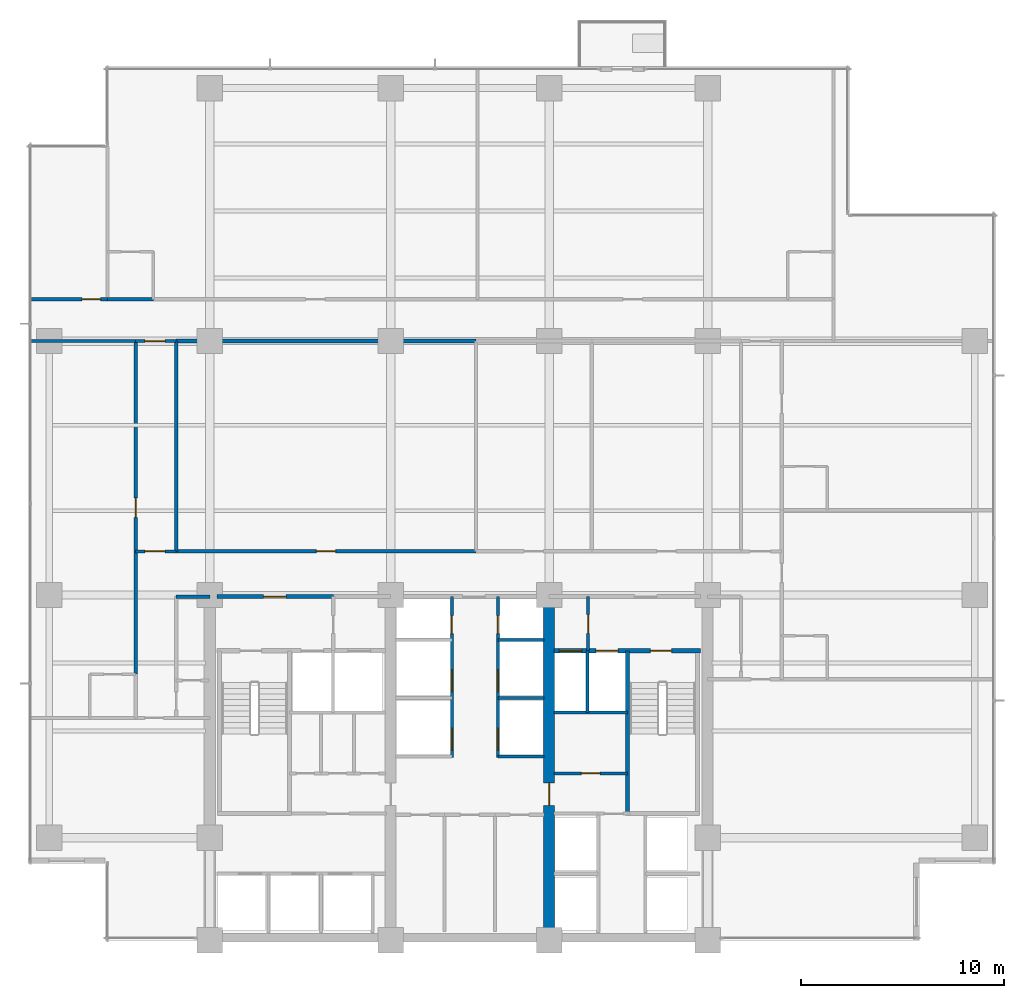
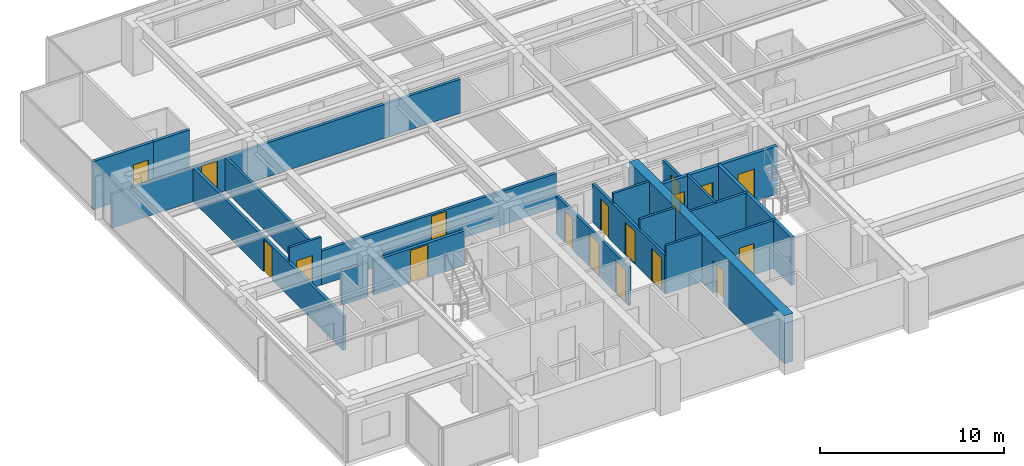
# One storey, part 9 of 16: 23 walls, 18 doors, 18 openings.
"""IFC4 building model written with IfcOpenShell, lengths in metres."""

from ifc_helpers import new_model, si_unit, direction, frame, frame_2d, origin, place, context, subcontext, project, spatial, rectangle, extrude, material, layer, layer_set, type_object, element, fill, save


model = new_model("IFC4")

# Units and contexts
model_context = context("Model", 3, precision=1e-05, world=origin(), true_north=direction((0.0, 1.0)))
body_context = subcontext(model_context, "Body", "Model", "MODEL_VIEW")
ifc_project = project(units=[si_unit("LENGTHUNIT", "METRE"), si_unit("AREAUNIT", "SQUARE_METRE"), si_unit("VOLUMEUNIT", "CUBIC_METRE"), si_unit("PLANEANGLEUNIT", "RADIAN"), si_unit("MASSUNIT", "GRAM", prefix="KILO")], contexts=[model_context])

# Site, building, storey
site_placement = place(None, origin())
site = spatial("IfcSite", under=ifc_project, at=site_placement, CompositionType="ELEMENT")
building_placement = place(site_placement, origin())
building = spatial("IfcBuilding", under=site, at=building_placement, Name="Qalmaran Belvedere Hotel", CompositionType="ELEMENT")
storey_placement = place(building_placement, frame((0.0, 0.0, 126.699951171875)))
storey = spatial("IfcBuildingStorey", under=building, at=storey_placement, Name="L32", CompositionType="ELEMENT", Elevation=126.699951171875)

# Wall, opening, door
ifc_material_1 = material(Name="Concrete C60/75", Category="concrete")
ifc_layer_1 = layer(ifc_material_1, 0.550048828125, Name="Concrete C60/75")
ifc_layer_set_1 = layer_set([ifc_layer_1], Name="Concrete C60/75")
wall_type_1 = type_object("IfcWallType", Name="WL-CORE-550-C60", PredefinedType="SHEAR", material=ifc_layer_set_1)
wall_1_placement = place(storey_placement, frame((37.0, 3.5, 0.0), z_axis=(0.0, 0.0, 1.0), x_axis=(0.0, 1.0, 0.0)))
wall_1 = element("IfcWall", 1, at=wall_1_placement, inside=storey, type_object=wall_type_1, Name="L32 Core East Spine Shear Wall", PredefinedType="SHEAR", context=body_context, shape_type="SweptSolid", body=[
    extrude(rectangle(XDim=16.89990234375, YDim=0.550048828125, at=frame_2d((8.449951171875, 0.0))), origin(), (0.0, 0.0, 1.0), 3.179931640625),
])
opening_1_placement = place(wall_1_placement, frame((6.64990234375, 0.0, 0.0)))
opening_1 = element("IfcOpeningElement", 2, at=opening_1_placement, cuts=wall_1, Name="Opening FD90", PredefinedType="OPENING", context=body_context, shape_type="SweptSolid", body=[
    extrude(rectangle(XDim=1.10009765625, YDim=2.14990234375, at=frame_2d((0.550048828125, 1.074951171875))), frame((0.0, 0.28515625, 0.0), z_axis=(0.0, -1.0, 0.0), x_axis=(1.0, 0.0, 0.0)), (0.0, 0.0, 1.0), 0.570068359375),
])
ifc_material_2 = material(Name="Steel S355JR", Category="steel")
door_type_1 = type_object("IfcDoorType", Name="DR-FD90-1100X2150", OperationType="NOTDEFINED", PredefinedType="DOOR", material=ifc_material_2)
door_1_placement = place(opening_1_placement, origin())
door_1 = element("IfcDoor", 3, at=door_1_placement, inside=storey, type_object=door_type_1, Name="L32 Core East Cross-Lobby Door", OperationType="SINGLE_SWING_RIGHT", OverallHeight=2.14990234375, OverallWidth=1.10009765625, PredefinedType="DOOR", context=body_context, shape_type="SweptSolid", body=[
    extrude(rectangle(XDim=1.10009765625, YDim=2.14990234375, at=frame_2d((0.550048828125, 1.074951171875))), frame((0.0, 0.02490234375, 0.0), z_axis=(0.0, -1.0, 0.0), x_axis=(1.0, 0.0, 0.0)), (0.0, 0.0, 1.0), 0.050048828125),
])
fill(opening_1, door_1)

# Walls
ifc_material_3 = material(Name="Gypsum Stud Partition")
ifc_layer_2 = layer(ifc_material_3, 0.14990234375, Name="Gypsum Stud Partition")
ifc_layer_set_2 = layer_set([ifc_layer_2], Name="Gypsum Stud Partition")
wall_type_2 = type_object("IfcWallType", Name="WL-INT-150-EI120", PredefinedType="PARTITIONING", material=ifc_layer_set_2)
wall_2_placement = place(storey_placement, frame((38.8798828125, 14.719970703125, 0.0), z_axis=(0.0, 0.0, 1.0), x_axis=(0.0, 1.0, 0.0)))
element("IfcWall", 4, at=wall_2_placement, inside=storey, type_object=wall_type_2, Name="L32 Partition WL-FF2M-L32", PredefinedType="PARTITIONING", context=body_context, shape_type="SweptSolid", body=[
    extrude(rectangle(XDim=3.0400390625, YDim=0.14990234375, at=frame_2d((1.52001953125, 0.0))), origin(), (0.0, 0.0, 1.0), 3.179931640625),
])
for number, where, z_axis, x_axis, name in (
    (5, (34.47998046875, 12.550048828125, 0.0), (0.0, 0.0, 1.0), (1.0, 0.0, 0.0), "L32 Partition WL-PME-L32-125"),
    (6, (34.47998046875, 15.419921875, 0.0), (0.0, 0.0, 1.0), (1.0, 0.0, 0.0), "L32 Partition WL-PME-L32-154"),
    (7, (34.47998046875, 18.280029296875, 0.0), (0.0, 0.0, 1.0), (1.0, 0.0, 0.0), "L32 Partition WL-PME-L32-182"),
):
    element("IfcWall", number, at=place(storey_placement, frame(where, z_axis=z_axis, x_axis=x_axis)), inside=storey, type_object=wall_type_2, Name=name, PredefinedType="PARTITIONING", context=body_context, shape_type="SweptSolid", body=[
        extrude(rectangle(XDim=2.27001953125, YDim=0.14990234375, at=frame_2d((1.135009765625, 0.0))), origin(), (0.0, 0.0, 1.0), 3.179931640625),
    ])

# Wall, opening, door
ifc_layer_3 = layer(ifc_material_3, 0.14990234375, Name="Gypsum Stud Partition")
ifc_layer_set_3 = layer_set([ifc_layer_3], Name="Gypsum Stud Partition")
wall_type_3 = type_object("IfcWallType", Name="WL-INT-150-EI60", PredefinedType="PARTITIONING", material=ifc_layer_set_3)
wall_3_placement = place(storey_placement, frame((16.64990234375, 22.64990234375, 0.0), z_axis=(0.0, 0.0, 1.0), x_axis=(1.0, 0.0, 0.0)))
wall_3 = element("IfcWall", 8, at=wall_3_placement, inside=storey, type_object=wall_type_3, Name="L32 Partition WL-L32-XCW1", PredefinedType="PARTITIONING", context=body_context, shape_type="SweptSolid", body=[
    extrude(rectangle(XDim=2.0, YDim=0.14990234375, at=frame_2d((1.0, 0.0))), origin(), (0.0, 0.0, 1.0), 3.179931640625),
])
opening_2_placement = place(wall_3_placement, frame((0.449951171875, 0.0, 0.0)))
opening_2 = element("IfcOpeningElement", 9, at=opening_2_placement, cuts=wall_3, Name="Opening FD90B", PredefinedType="OPENING", context=body_context, shape_type="SweptSolid", body=[
    extrude(rectangle(XDim=1.0, YDim=2.14990234375, at=frame_2d((0.5, 1.074951171875))), frame((0.0, 0.0849609375, 0.0), z_axis=(0.0, -1.0, 0.0), x_axis=(1.0, 0.0, 0.0)), (0.0, 0.0, 1.0), 0.169921875),
])
door_type_2 = type_object("IfcDoorType", Name="DR-FD90B-1000X2150", OperationType="NOTDEFINED", PredefinedType="DOOR", material=ifc_material_2)
door_2_placement = place(opening_2_placement, origin())
door_2 = element("IfcDoor", 10, at=door_2_placement, inside=storey, type_object=door_type_2, Name="L32 West Corridor Smoke Door S", OperationType="SINGLE_SWING_LEFT", OverallHeight=2.14990234375, OverallWidth=1.0, PredefinedType="DOOR", context=body_context, shape_type="SweptSolid", body=[
    extrude(rectangle(XDim=1.0, YDim=2.14990234375, at=frame_2d((0.5, 1.074951171875))), frame((0.0, 0.02490234375, 0.0), z_axis=(0.0, -1.0, 0.0), x_axis=(1.0, 0.0, 0.0)), (0.0, 0.0, 1.0), 0.050048828125),
])
fill(opening_2, door_2)

wall_4_placement = place(storey_placement, frame((16.64990234375, 33.0, 0.0), z_axis=(0.0, 0.0, 1.0), x_axis=(1.0, 0.0, 0.0)))
wall_4 = element("IfcWall", 11, at=wall_4_placement, inside=storey, type_object=wall_type_3, Name="L32 Partition WL-L32-XCW2", PredefinedType="PARTITIONING", context=body_context, shape_type="SweptSolid", body=[
    extrude(rectangle(XDim=2.0, YDim=0.14990234375, at=frame_2d((1.0, 0.0))), origin(), (0.0, 0.0, 1.0), 2.2529296875),
])
opening_3_placement = place(wall_4_placement, frame((0.449951171875, 0.0, 0.0)))
opening_3 = element("IfcOpeningElement", 12, at=opening_3_placement, cuts=wall_4, Name="Opening FD90B", PredefinedType="OPENING", context=body_context, shape_type="SweptSolid", body=[
    extrude(rectangle(XDim=1.0, YDim=2.14990234375, at=frame_2d((0.5, 1.074951171875))), frame((0.0, 0.0849609375, 0.0), z_axis=(0.0, -1.0, 0.0), x_axis=(1.0, 0.0, 0.0)), (0.0, 0.0, 1.0), 0.169921875),
])
door_3_placement = place(opening_3_placement, origin())
door_3 = element("IfcDoor", 13, at=door_3_placement, inside=storey, type_object=door_type_2, Name="L32 West Corridor Smoke Door N", OperationType="SINGLE_SWING_RIGHT", OverallHeight=2.14990234375, OverallWidth=1.0, PredefinedType="DOOR", context=body_context, shape_type="SweptSolid", body=[
    extrude(rectangle(XDim=1.0, YDim=2.14990234375, at=frame_2d((0.5, 1.074951171875))), frame((0.0, 0.02490234375, 0.0), z_axis=(0.0, -1.0, 0.0), x_axis=(1.0, 0.0, 0.0)), (0.0, 0.0, 1.0), 0.050048828125),
])
fill(opening_3, door_3)

ifc_layer_4 = layer(ifc_material_3, 0.159912109375, Name="Gypsum Stud Partition")
ifc_layer_set_4 = layer_set([ifc_layer_4], Name="Gypsum Stud Partition")
wall_type_4 = type_object("IfcWallType", Name="WL-INT-160-EI120", PredefinedType="PARTITIONING", material=ifc_layer_set_4)
wall_5_placement = place(storey_placement, frame((38.919921875, 17.760009765625, 0.0), z_axis=(0.0, 0.0, 1.0), x_axis=(0.0, 1.0, 0.0)))
wall_5 = element("IfcWall", 14, at=wall_5_placement, inside=storey, type_object=wall_type_4, Name="L32 Partition WL-FFSV2-L32", PredefinedType="PARTITIONING", context=body_context, shape_type="SweptSolid", body=[
    extrude(rectangle(XDim=2.659912109375, YDim=0.159912109375, at=frame_2d((1.330078125, 0.0))), origin(), (0.0, 0.0, 1.0), 2.553955078125),
])
opening_4_placement = place(wall_5_placement, frame((1.77001953125, 0.0, 0.0), z_axis=(0.0, 0.0, 1.0), x_axis=(-1.0, 0.0, 0.0)))
opening_4 = element("IfcOpeningElement", 15, at=opening_4_placement, cuts=wall_5, Name="Opening FD60S1", PredefinedType="OPENING", context=body_context, shape_type="SweptSolid", body=[
    extrude(rectangle(XDim=0.919921875, YDim=2.080078125, at=frame_2d((0.4599609375, 1.0400390625))), frame((0.0, 0.08984375, 0.0), z_axis=(0.0, -1.0, 0.0), x_axis=(1.0, 0.0, 0.0)), (0.0, 0.0, 1.0), 0.179931640625),
])
ifc_material_4 = material(Name="Engineered Oak Veneer")
door_type_3 = type_object("IfcDoorType", Name="DR-FD60S-920X2080", OperationType="NOTDEFINED", PredefinedType="DOOR", material=ifc_material_4)
door_4_placement = place(opening_4_placement, origin())
door_4 = element("IfcDoor", 16, at=door_4_placement, inside=storey, type_object=door_type_3, Name="L32 Service Lobby East Door", OperationType="SINGLE_SWING_RIGHT", OverallHeight=2.080078125, OverallWidth=0.919921875, PredefinedType="DOOR", context=body_context, shape_type="SweptSolid", body=[
    extrude(rectangle(XDim=0.919921875, YDim=2.080078125, at=frame_2d((0.4599609375, 1.0400390625))), frame((0.0, 0.02490234375, 0.0), z_axis=(0.0, -1.0, 0.0), x_axis=(1.0, 0.0, 0.0)), (0.0, 0.0, 1.0), 0.050048828125),
])
fill(opening_4, door_4)

# Wall
wall_6_placement = place(storey_placement, frame((37.25, 14.719970703125, 0.0), z_axis=(0.0, 0.0, 1.0), x_axis=(1.0, 0.0, 0.0)))
element("IfcWall", 17, at=wall_6_placement, inside=storey, type_object=wall_type_4, Name="L32 Partition WL-FF2S-L32", PredefinedType="PARTITIONING", context=body_context, shape_type="SweptSolid", body=[
    extrude(rectangle(XDim=3.610107421875, YDim=0.159912109375, at=frame_2d((1.80517578125, 0.0))), origin(), (0.0, 0.0, 1.0), 3.179931640625),
])

# Wall, openings, doors
wall_7_placement = place(storey_placement, frame((32.219970703125, 12.5, 0.0), z_axis=(0.0, 0.0, 1.0), x_axis=(0.0, 1.0, 0.0)))
wall_7 = element("IfcWall", 18, at=wall_7_placement, inside=storey, type_object=wall_type_4, Name="L32 Partition WL-CLBWN-L32", PredefinedType="PARTITIONING", context=body_context, shape_type="SweptSolid", body=[
    extrude(rectangle(XDim=7.919921875, YDim=0.159912109375, at=frame_2d((3.9599609375, 0.0))), origin(), (0.0, 0.0, 1.0), 2.553955078125),
])
opening_5_placement = place(wall_7_placement, frame((1.43017578125, 0.0, 0.0), z_axis=(0.0, 0.0, 1.0), x_axis=(-1.0, 0.0, 0.0)))
opening_5 = element("IfcOpeningElement", 19, at=opening_5_placement, cuts=wall_7, Name="Opening LD-P1", PredefinedType="OPENING", context=body_context, shape_type="SweptSolid", body=[
    extrude(rectangle(XDim=1.080078125, YDim=2.159912109375, at=frame_2d((0.5400390625, 1.080078125))), frame((0.0, 0.08984375, 0.0), z_axis=(0.0, -1.0, 0.0), x_axis=(1.0, 0.0, 0.0)), (0.0, 0.0, 1.0), 0.179931640625),
])
opening_6_placement = place(wall_7_placement, frame((4.330078125, 0.0, 0.0), z_axis=(0.0, 0.0, 1.0), x_axis=(-1.0, 0.0, 0.0)))
opening_6 = element("IfcOpeningElement", 20, at=opening_6_placement, cuts=wall_7, Name="Opening LD-P1", PredefinedType="OPENING", context=body_context, shape_type="SweptSolid", body=[
    extrude(rectangle(XDim=1.080078125, YDim=2.159912109375, at=frame_2d((0.5400390625, 1.080078125))), frame((0.0, 0.08984375, 0.0), z_axis=(0.0, -1.0, 0.0), x_axis=(1.0, 0.0, 0.0)), (0.0, 0.0, 1.0), 0.179931640625),
])
opening_7_placement = place(wall_7_placement, frame((6.10009765625, 0.0, 0.0)))
opening_7 = element("IfcOpeningElement", 21, at=opening_7_placement, cuts=wall_7, Name="Opening FD60B", PredefinedType="OPENING", context=body_context, shape_type="SweptSolid", body=[
    extrude(rectangle(XDim=0.8798828125, YDim=2.080078125, at=frame_2d((0.43994140625, 1.0400390625))), frame((0.0, 0.08984375, 0.0), z_axis=(0.0, -1.0, 0.0), x_axis=(1.0, 0.0, 0.0)), (0.0, 0.0, 1.0), 0.179931640625),
])
door_type_4 = type_object("IfcDoorType", Name="DR-FD60B-880X2080", OperationType="NOTDEFINED", PredefinedType="DOOR", material=ifc_material_2)
door_5_placement = place(opening_7_placement, origin())
door_5 = element("IfcDoor", 22, at=door_5_placement, inside=storey, type_object=door_type_4, Name="L32 West Riser Access Door", OperationType="SINGLE_SWING_LEFT", OverallHeight=2.080078125, OverallWidth=0.8798828125, PredefinedType="DOOR", context=body_context, shape_type="SweptSolid", body=[
    extrude(rectangle(XDim=0.8798828125, YDim=2.080078125, at=frame_2d((0.43994140625, 1.0400390625))), frame((0.0, 0.02490234375, 0.0), z_axis=(0.0, -1.0, 0.0), x_axis=(1.0, 0.0, 0.0)), (0.0, 0.0, 1.0), 0.050048828125),
])
fill(opening_7, door_5)
ifc_material_5 = material(Name="Stainless Steel 1.4401", Category="steel")
door_type_5 = type_object("IfcDoorType", Name="DR-LIFT-P1-1080X2160", OperationType="DOUBLE_DOOR_SLIDING", PredefinedType="DOOR", material=ifc_material_5)
door_6_placement = place(opening_5_placement, origin())
door_6 = element("IfcDoor", 23, at=door_6_placement, inside=storey, type_object=door_type_5, Name="L32 PM1 Lift Landing Door", OperationType="DOUBLE_DOOR_SLIDING", OverallHeight=2.159912109375, OverallWidth=1.080078125, PredefinedType="DOOR", context=body_context, shape_type="SweptSolid", body=[
    extrude(rectangle(XDim=1.080078125, YDim=2.159912109375, at=frame_2d((0.5400390625, 1.080078125))), frame((0.0, 0.02490234375, 0.0), z_axis=(0.0, -1.0, 0.0), x_axis=(1.0, 0.0, 0.0)), (0.0, 0.0, 1.0), 0.050048828125),
])
fill(opening_5, door_6)
door_7_placement = place(opening_6_placement, origin())
door_7 = element("IfcDoor", 24, at=door_7_placement, inside=storey, type_object=door_type_5, Name="L32 PM2 Lift Landing Door", OperationType="DOUBLE_DOOR_SLIDING", OverallHeight=2.159912109375, OverallWidth=1.080078125, PredefinedType="DOOR", context=body_context, shape_type="SweptSolid", body=[
    extrude(rectangle(XDim=1.080078125, YDim=2.159912109375, at=frame_2d((0.5400390625, 1.080078125))), frame((0.0, 0.02490234375, 0.0), z_axis=(0.0, -1.0, 0.0), x_axis=(1.0, 0.0, 0.0)), (0.0, 0.0, 1.0), 0.050048828125),
])
fill(opening_6, door_7)

wall_8_placement = place(storey_placement, frame((34.47998046875, 12.5, 0.0), z_axis=(0.0, 0.0, 1.0), x_axis=(0.0, 1.0, 0.0)))
wall_8 = element("IfcWall", 25, at=wall_8_placement, inside=storey, type_object=wall_type_4, Name="L32 Partition WL-CLBEN-L32", PredefinedType="PARTITIONING", context=body_context, shape_type="SweptSolid", body=[
    extrude(rectangle(XDim=7.919921875, YDim=0.159912109375, at=frame_2d((3.9599609375, 0.0))), origin(), (0.0, 0.0, 1.0), 2.553955078125),
])
opening_8_placement = place(wall_8_placement, frame((0.35009765625, 0.0, 0.0)))
opening_8 = element("IfcOpeningElement", 26, at=opening_8_placement, cuts=wall_8, Name="Opening LD-P1", PredefinedType="OPENING", context=body_context, shape_type="SweptSolid", body=[
    extrude(rectangle(XDim=1.080078125, YDim=2.159912109375, at=frame_2d((0.5400390625, 1.080078125))), frame((0.0, 0.08984375, 0.0), z_axis=(0.0, -1.0, 0.0), x_axis=(1.0, 0.0, 0.0)), (0.0, 0.0, 1.0), 0.179931640625),
])
opening_9_placement = place(wall_8_placement, frame((3.25, 0.0, 0.0)))
opening_9 = element("IfcOpeningElement", 27, at=opening_9_placement, cuts=wall_8, Name="Opening LD-P1", PredefinedType="OPENING", context=body_context, shape_type="SweptSolid", body=[
    extrude(rectangle(XDim=1.080078125, YDim=2.159912109375, at=frame_2d((0.5400390625, 1.080078125))), frame((0.0, 0.08984375, 0.0), z_axis=(0.0, -1.0, 0.0), x_axis=(1.0, 0.0, 0.0)), (0.0, 0.0, 1.0), 0.179931640625),
])
opening_10_placement = place(wall_8_placement, frame((6.97998046875, 0.0, 0.0), z_axis=(0.0, 0.0, 1.0), x_axis=(-1.0, 0.0, 0.0)))
opening_10 = element("IfcOpeningElement", 28, at=opening_10_placement, cuts=wall_8, Name="Opening FD60B", PredefinedType="OPENING", context=body_context, shape_type="SweptSolid", body=[
    extrude(rectangle(XDim=0.8798828125, YDim=2.080078125, at=frame_2d((0.43994140625, 1.0400390625))), frame((0.0, 0.08984375, 0.0), z_axis=(0.0, -1.0, 0.0), x_axis=(1.0, 0.0, 0.0)), (0.0, 0.0, 1.0), 0.179931640625),
])
door_8_placement = place(opening_10_placement, origin())
door_8 = element("IfcDoor", 29, at=door_8_placement, inside=storey, type_object=door_type_4, Name="L32 East Riser Access Door", OperationType="SINGLE_SWING_RIGHT", OverallHeight=2.080078125, OverallWidth=0.8798828125, PredefinedType="DOOR", context=body_context, shape_type="SweptSolid", body=[
    extrude(rectangle(XDim=0.8798828125, YDim=2.080078125, at=frame_2d((0.43994140625, 1.0400390625))), frame((0.0, 0.02490234375, 0.0), z_axis=(0.0, -1.0, 0.0), x_axis=(1.0, 0.0, 0.0)), (0.0, 0.0, 1.0), 0.050048828125),
])
fill(opening_10, door_8)
door_9_placement = place(opening_8_placement, origin())
door_9 = element("IfcDoor", 30, at=door_9_placement, inside=storey, type_object=door_type_5, Name="L32 PM3 Lift Landing Door", OperationType="DOUBLE_DOOR_SLIDING", OverallHeight=2.159912109375, OverallWidth=1.080078125, PredefinedType="DOOR", context=body_context, shape_type="SweptSolid", body=[
    extrude(rectangle(XDim=1.080078125, YDim=2.159912109375, at=frame_2d((0.5400390625, 1.080078125))), frame((0.0, 0.02490234375, 0.0), z_axis=(0.0, -1.0, 0.0), x_axis=(1.0, 0.0, 0.0)), (0.0, 0.0, 1.0), 0.050048828125),
])
fill(opening_8, door_9)
door_10_placement = place(opening_9_placement, origin())
door_10 = element("IfcDoor", 31, at=door_10_placement, inside=storey, type_object=door_type_5, Name="L32 PM4 Lift Landing Door", OperationType="DOUBLE_DOOR_SLIDING", OverallHeight=2.159912109375, OverallWidth=1.080078125, PredefinedType="DOOR", context=body_context, shape_type="SweptSolid", body=[
    extrude(rectangle(XDim=1.080078125, YDim=2.159912109375, at=frame_2d((0.5400390625, 1.080078125))), frame((0.0, 0.02490234375, 0.0), z_axis=(0.0, -1.0, 0.0), x_axis=(1.0, 0.0, 0.0)), (0.0, 0.0, 1.0), 0.050048828125),
])
fill(opening_9, door_10)

# Wall, opening, door
ifc_layer_5 = layer(ifc_material_3, 0.159912109375, Name="Gypsum Stud Partition")
ifc_layer_set_5 = layer_set([ifc_layer_5], Name="Gypsum Stud Partition")
wall_type_5 = type_object("IfcWallType", Name="WL-INT-160-EI60", PredefinedType="PARTITIONING", material=ifc_layer_set_5)
wall_9_placement = place(storey_placement, frame((37.25, 11.719970703125, 0.0), z_axis=(0.0, 0.0, 1.0), x_axis=(1.0, 0.0, 0.0)))
wall_9 = element("IfcWall", 32, at=wall_9_placement, inside=storey, type_object=wall_type_5, Name="L32 Partition WL-L32-KEE1", PredefinedType="PARTITIONING", context=body_context, shape_type="SweptSolid", body=[
    extrude(rectangle(XDim=3.610107421875, YDim=0.159912109375, at=frame_2d((1.80517578125, 0.0))), origin(), (0.0, 0.0, 1.0), 3.179931640625),
])
opening_11_placement = place(wall_9_placement, frame((1.344970703125, 0.0, 0.0)))
opening_11 = element("IfcOpeningElement", 33, at=opening_11_placement, cuts=wall_9, Name="Opening FD60S1", PredefinedType="OPENING", context=body_context, shape_type="SweptSolid", body=[
    extrude(rectangle(XDim=0.919921875, YDim=2.080078125, at=frame_2d((0.4599609375, 1.0400390625))), frame((0.0, 0.08984375, 0.0), z_axis=(0.0, -1.0, 0.0), x_axis=(1.0, 0.0, 0.0)), (0.0, 0.0, 1.0), 0.179931640625),
])
door_11_placement = place(opening_11_placement, origin())
door_11 = element("IfcDoor", 34, at=door_11_placement, inside=storey, type_object=door_type_3, Name="L32 Guest Ice and Beverage Pantry Door", OperationType="SINGLE_SWING_LEFT", OverallHeight=2.080078125, OverallWidth=0.919921875, PredefinedType="DOOR", context=body_context, shape_type="SweptSolid", body=[
    extrude(rectangle(XDim=0.919921875, YDim=2.080078125, at=frame_2d((0.4599609375, 1.0400390625))), frame((0.0, 0.02490234375, 0.0), z_axis=(0.0, -1.0, 0.0), x_axis=(1.0, 0.0, 0.0)), (0.0, 0.0, 1.0), 0.050048828125),
])
fill(opening_11, door_11)

# Walls
wall_10_placement = place(storey_placement, frame((18.64990234375, 20.419921875, 0.0), z_axis=(0.0, 0.0, 1.0), x_axis=(1.0, 0.0, 0.0)))
element("IfcWall", 35, at=wall_10_placement, inside=storey, type_object=wall_type_5, Name="L32 Partition WL-L32-WCLN", PredefinedType="PARTITIONING", context=body_context, shape_type="SweptSolid", body=[
    extrude(rectangle(XDim=1.650146484375, YDim=0.159912109375, at=frame_2d((0.8251953125, 0.0))), origin(), (0.0, 0.0, 1.0), 2.2529296875),
])
wall_11_placement = place(storey_placement, frame((18.64990234375, 22.64990234375, 0.0), z_axis=(0.0, 0.0, 1.0), x_axis=(0.0, 1.0, 0.0)))
element("IfcWall", 36, at=wall_11_placement, inside=storey, type_object=wall_type_5, Name="L32 Partition WL-L32-MIDVL", PredefinedType="PARTITIONING", context=body_context, shape_type="SweptSolid", body=[
    extrude(rectangle(XDim=10.35009765625, YDim=0.159912109375, at=frame_2d((5.175048828125, 0.0))), origin(), (0.0, 0.0, 1.0), 2.2529296875),
])
wall_12_placement = place(storey_placement, frame((11.469970703125, 33.0, 0.0), z_axis=(0.0, 0.0, 1.0), x_axis=(1.0, 0.0, 0.0)))
element("IfcWall", 37, at=wall_12_placement, inside=storey, type_object=wall_type_5, Name="L32 Partition WL-L32-WU00", PredefinedType="PARTITIONING", context=body_context, shape_type="SweptSolid", body=[
    extrude(rectangle(XDim=5.179931640625, YDim=0.159912109375, at=frame_2d((2.58984375, 0.0))), origin(), (0.0, 0.0, 1.0), 2.2529296875),
])

# Wall, opening, door
ifc_layer_6 = layer(ifc_material_3, 0.179931640625, Name="Gypsum Stud Partition")
ifc_layer_set_6 = layer_set([ifc_layer_6], Name="Gypsum Stud Partition")
wall_type_6 = type_object("IfcWallType", Name="WL-INT-180-EI60", PredefinedType="PARTITIONING", material=ifc_layer_set_6)
wall_13_placement = place(storey_placement, frame((18.64990234375, 22.64990234375, 0.0), z_axis=(0.0, 0.0, 1.0), x_axis=(1.0, 0.0, 0.0)))
wall_13 = element("IfcWall", 38, at=wall_13_placement, inside=storey, type_object=wall_type_6, Name="L32 Partition WL-L32-MIDD1", PredefinedType="PARTITIONING", context=body_context, shape_type="SweptSolid", body=[
    extrude(rectangle(XDim=14.75, YDim=0.179931640625, at=frame_2d((7.375, 0.0))), origin(), (0.0, 0.0, 1.0), 2.2529296875),
])
opening_12_placement = place(wall_13_placement, frame((6.89990234375, 0.0, 0.0)))
opening_12 = element("IfcOpeningElement", 39, at=opening_12_placement, cuts=wall_13, Name="Opening FD60", PredefinedType="OPENING", context=body_context, shape_type="SweptSolid", body=[
    extrude(rectangle(XDim=0.949951171875, YDim=2.14990234375, at=frame_2d((0.47509765625, 1.074951171875))), frame((0.0, 0.10009765625, 0.0), z_axis=(0.0, -1.0, 0.0), x_axis=(1.0, 0.0, 0.0)), (0.0, 0.0, 1.0), 0.199951171875),
])
door_type_6 = type_object("IfcDoorType", Name="DR-FD60-950X2150", OperationType="NOTDEFINED", PredefinedType="DOOR", material=ifc_material_4)
door_12_placement = place(opening_12_placement, origin())
door_12 = element("IfcDoor", 40, at=door_12_placement, inside=storey, type_object=door_type_6, Name="L32 Housekeeping and Linen Room Door", OperationType="SINGLE_SWING_LEFT", OverallHeight=2.14990234375, OverallWidth=0.949951171875, PredefinedType="DOOR", context=body_context, shape_type="SweptSolid", body=[
    extrude(rectangle(XDim=0.949951171875, YDim=2.14990234375, at=frame_2d((0.47509765625, 1.074951171875))), frame((0.0, 0.02490234375, 0.0), z_axis=(0.0, -1.0, 0.0), x_axis=(1.0, 0.0, 0.0)), (0.0, 0.0, 1.0), 0.050048828125),
])
fill(opening_12, door_12)

# Walls
wall_14_placement = place(storey_placement, frame((18.64990234375, 33.0, 0.0), z_axis=(0.0, 0.0, 1.0), x_axis=(1.0, 0.0, 0.0)))
element("IfcWall", 41, at=wall_14_placement, inside=storey, type_object=wall_type_6, Name="L32 Partition WL-L32-MIDO1", PredefinedType="PARTITIONING", context=body_context, shape_type="SweptSolid", body=[
    extrude(rectangle(XDim=14.75, YDim=0.179931640625, at=frame_2d((7.375, 0.0))), origin(), (0.0, 0.0, 1.0), 2.2529296875),
])
wall_15_placement = place(storey_placement, frame((15.27001953125, 35.050048828125, 0.0), z_axis=(0.0, 0.0, 1.0), x_axis=(1.0, 0.0, 0.0)))
element("IfcWall", 42, at=wall_15_placement, inside=storey, type_object=wall_type_6, Name="L32 Partition WL-L32-NBC00", PredefinedType="PARTITIONING", context=body_context, shape_type="SweptSolid", body=[
    extrude(rectangle(XDim=2.25, YDim=0.179931640625, at=frame_2d((1.125, 0.0))), origin(), (0.0, 0.0, 1.0), 3.179931640625),
])

# Wall, opening, door
wall_16_placement = place(storey_placement, frame((16.64990234375, 16.60009765625, 0.0), z_axis=(0.0, 0.0, 1.0), x_axis=(0.0, 1.0, 0.0)))
wall_16 = element("IfcWall", 43, at=wall_16_placement, inside=storey, type_object=wall_type_6, Name="L32 Partition WL-L32-WEC00", PredefinedType="PARTITIONING", context=body_context, shape_type="SweptSolid", body=[
    extrude(rectangle(XDim=16.39990234375, YDim=0.179931640625, at=frame_2d((8.199951171875, 0.0))), origin(), (0.0, 0.0, 1.0), 2.2529296875),
])
opening_13_placement = place(wall_16_placement, frame((7.72509765625, 0.0, 0.0)))
opening_13 = element("IfcOpeningElement", 44, at=opening_13_placement, cuts=wall_16, Name="Opening FD60", PredefinedType="OPENING", context=body_context, shape_type="SweptSolid", body=[
    extrude(rectangle(XDim=0.949951171875, YDim=2.14990234375, at=frame_2d((0.47509765625, 1.074951171875))), frame((0.0, 0.10009765625, 0.0), z_axis=(0.0, -1.0, 0.0), x_axis=(1.0, 0.0, 0.0)), (0.0, 0.0, 1.0), 0.199951171875),
])
door_13_placement = place(opening_13_placement, origin())
door_13 = element("IfcDoor", 45, at=door_13_placement, inside=storey, type_object=door_type_6, Name="L32 W Wing Door 01", OperationType="SINGLE_SWING_LEFT", OverallHeight=2.14990234375, OverallWidth=0.949951171875, PredefinedType="DOOR", context=body_context, shape_type="SweptSolid", body=[
    extrude(rectangle(XDim=0.949951171875, YDim=2.14990234375, at=frame_2d((0.47509765625, 1.074951171875))), frame((0.0, 0.02490234375, 0.0), z_axis=(0.0, -1.0, 0.0), x_axis=(1.0, 0.0, 0.0)), (0.0, 0.0, 1.0), 0.050048828125),
])
fill(opening_13, door_13)

wall_17_placement = place(storey_placement, frame((11.469970703125, 35.050048828125, 0.0), z_axis=(0.0, 0.0, 1.0), x_axis=(1.0, 0.0, 0.0)))
wall_17 = element("IfcWall", 46, at=wall_17_placement, inside=storey, type_object=wall_type_6, Name="L32 Partition WL-L32-NWSD", PredefinedType="PARTITIONING", context=body_context, shape_type="SweptSolid", body=[
    extrude(rectangle(XDim=3.800048828125, YDim=0.179931640625, at=frame_2d((1.89990234375, 0.0))), origin(), (0.0, 0.0, 1.0), 3.179931640625),
])
opening_14_placement = place(wall_17_placement, frame((2.543701171875, 0.0, 0.0)))
opening_14 = element("IfcOpeningElement", 47, at=opening_14_placement, cuts=wall_17, Name="Opening FD60S1", PredefinedType="OPENING", context=body_context, shape_type="SweptSolid", body=[
    extrude(rectangle(XDim=0.919921875, YDim=2.080078125, at=frame_2d((0.4599609375, 1.0400390625))), frame((0.0, 0.10009765625, 0.0), z_axis=(0.0, -1.0, 0.0), x_axis=(1.0, 0.0, 0.0)), (0.0, 0.0, 1.0), 0.199951171875),
])
door_14_placement = place(opening_14_placement, origin())
door_14 = element("IfcDoor", 48, at=door_14_placement, inside=storey, type_object=door_type_3, Name="L32 NW Belvedere Study Door", OperationType="SINGLE_SWING_RIGHT", OverallHeight=2.080078125, OverallWidth=0.919921875, PredefinedType="DOOR", context=body_context, shape_type="SweptSolid", body=[
    extrude(rectangle(XDim=0.919921875, YDim=2.080078125, at=frame_2d((0.4599609375, 1.0400390625))), frame((0.0, 0.02490234375, 0.0), z_axis=(0.0, -1.0, 0.0), x_axis=(1.0, 0.0, 0.0)), (0.0, 0.0, 1.0), 0.050048828125),
])
fill(opening_14, door_14)

ifc_material_6 = material(Name="Concrete C30/37 Blockwork", Category="masonry")
ifc_layer_7 = layer(ifc_material_6, 0.199951171875, Name="Concrete C30/37 Blockwork")
ifc_layer_set_7 = layer_set([ifc_layer_7], Name="Concrete C30/37 Blockwork")
wall_type_7 = type_object("IfcWallType", Name="WL-INT-200-EI120", PredefinedType="PARTITIONING", material=ifc_layer_set_7)
wall_18_placement = place(storey_placement, frame((20.64990234375, 20.419921875, 0.0), z_axis=(0.0, 0.0, 1.0), x_axis=(1.0, 0.0, 0.0)))
wall_18 = element("IfcWall", 49, at=wall_18_placement, inside=storey, type_object=wall_type_7, Name="L32 Partition WL-CN1A-L32", PredefinedType="PARTITIONING", context=body_context, shape_type="SweptSolid", body=[
    extrude(rectangle(XDim=5.72998046875, YDim=0.199951171875, at=frame_2d((2.864990234375, 0.0))), origin(), (0.0, 0.0, 1.0), 2.2529296875),
])
opening_15_placement = place(wall_18_placement, frame((2.300048828125, 0.0, 0.0)))
opening_15 = element("IfcOpeningElement", 50, at=opening_15_placement, cuts=wall_18, Name="Opening FD90", PredefinedType="OPENING", context=body_context, shape_type="SweptSolid", body=[
    extrude(rectangle(XDim=1.10009765625, YDim=2.14990234375, at=frame_2d((0.550048828125, 1.074951171875))), frame((0.0, 0.10986328125, 0.0), z_axis=(0.0, -1.0, 0.0), x_axis=(1.0, 0.0, 0.0)), (0.0, 0.0, 1.0), 0.219970703125),
])
door_15_placement = place(opening_15_placement, origin())
door_15 = element("IfcDoor", 51, at=door_15_placement, inside=storey, type_object=door_type_1, Name="L32 FF1 Lobby Corridor Door", OperationType="SINGLE_SWING_LEFT", OverallHeight=2.14990234375, OverallWidth=1.10009765625, PredefinedType="DOOR", context=body_context, shape_type="SweptSolid", body=[
    extrude(rectangle(XDim=1.10009765625, YDim=2.14990234375, at=frame_2d((0.550048828125, 1.074951171875))), frame((0.0, 0.02490234375, 0.0), z_axis=(0.0, -1.0, 0.0), x_axis=(1.0, 0.0, 0.0)), (0.0, 0.0, 1.0), 0.050048828125),
])
fill(opening_15, door_15)

# Wall
ifc_material_7 = material(Name="Concrete C50/60", Category="concrete")
ifc_layer_8 = layer(ifc_material_7, 0.2099609375, Name="Concrete C50/60")
ifc_layer_set_8 = layer_set([ifc_layer_8], Name="Concrete C50/60")
wall_type_8 = type_object("IfcWallType", Name="WL-STAIR-210-C50", PredefinedType="SHEAR", material=ifc_layer_set_8)
wall_19_placement = place(storey_placement, frame((40.85498046875, 9.7451171875, 0.0), z_axis=(0.0, 0.0, 1.0), x_axis=(0.0, 1.0, 0.0)))
element("IfcWall", 52, at=wall_19_placement, inside=storey, type_object=wall_type_8, Name="L32 Stair ST-2 West Bearing Wall", PredefinedType="SHEAR", context=body_context, shape_type="SweptSolid", body=[
    extrude(rectangle(XDim=8.009765625, YDim=0.2099609375, at=frame_2d((4.0048828125, 0.0))), origin(), (0.0, 0.0, 1.0), 3.179931640625),
])

# Wall, openings, doors
wall_20_placement = place(storey_placement, frame((37.25, 17.7548828125, 0.0), z_axis=(0.0, 0.0, 1.0), x_axis=(1.0, 0.0, 0.0)))
wall_20 = element("IfcWall", 53, at=wall_20_placement, inside=storey, type_object=wall_type_8, Name="L32 East Lobby and Stair ST-2 North Bearing Wall", PredefinedType="SHEAR", context=body_context, shape_type="SweptSolid", body=[
    extrude(rectangle(XDim=7.199951171875, YDim=0.2099609375, at=frame_2d((3.60009765625, 0.0))), origin(), (0.0, 0.0, 1.0), 3.179931640625),
])
opening_16_placement = place(wall_20_placement, frame((0.25, 0.0, 0.0)))
opening_16 = element("IfcOpeningElement", 54, at=opening_16_placement, cuts=wall_20, Name="Opening LD-SV", PredefinedType="OPENING", context=body_context, shape_type="SweptSolid", body=[
    extrude(rectangle(XDim=1.1201171875, YDim=2.199951171875, at=frame_2d((0.56005859375, 1.10009765625))), frame((0.0, 0.114990234375, 0.0), z_axis=(0.0, -1.0, 0.0), x_axis=(1.0, 0.0, 0.0)), (0.0, 0.0, 1.0), 0.22998046875),
])
opening_17_placement = place(wall_20_placement, frame((2.050048828125, 0.0, 0.0)))
opening_17 = element("IfcOpeningElement", 55, at=opening_17_placement, cuts=wall_20, Name="Opening LD-FF", PredefinedType="OPENING", context=body_context, shape_type="SweptSolid", body=[
    extrude(rectangle(XDim=1.10009765625, YDim=2.179931640625, at=frame_2d((0.550048828125, 1.08984375))), frame((0.0, 0.114990234375, 0.0), z_axis=(0.0, -1.0, 0.0), x_axis=(1.0, 0.0, 0.0)), (0.0, 0.0, 1.0), 0.22998046875),
])
opening_18_placement = place(wall_20_placement, frame((5.780029296875, 0.0, 0.0), z_axis=(0.0, 0.0, 1.0), x_axis=(-1.0, 0.0, 0.0)))
opening_18 = element("IfcOpeningElement", 56, at=opening_18_placement, cuts=wall_20, Name="Opening FD90S2", PredefinedType="OPENING", context=body_context, shape_type="SweptSolid", body=[
    extrude(rectangle(XDim=1.050048828125, YDim=2.14990234375, at=frame_2d((0.52490234375, 1.074951171875))), frame((0.0, 0.114990234375, 0.0), z_axis=(0.0, -1.0, 0.0), x_axis=(1.0, 0.0, 0.0)), (0.0, 0.0, 1.0), 0.22998046875),
])
door_type_7 = type_object("IfcDoorType", Name="DR-FD90S-1050X2150", OperationType="NOTDEFINED", PredefinedType="DOOR", material=ifc_material_2)
door_16_placement = place(opening_18_placement, origin())
door_16 = element("IfcDoor", 57, at=door_16_placement, inside=storey, type_object=door_type_7, Name="L32 Stair ST-2 Door", OperationType="SINGLE_SWING_RIGHT", OverallHeight=2.14990234375, OverallWidth=1.050048828125, PredefinedType="DOOR", context=body_context, shape_type="SweptSolid", body=[
    extrude(rectangle(XDim=1.050048828125, YDim=2.14990234375, at=frame_2d((0.52490234375, 1.074951171875))), frame((0.0, 0.02490234375, 0.0), z_axis=(0.0, -1.0, 0.0), x_axis=(1.0, 0.0, 0.0)), (0.0, 0.0, 1.0), 0.050048828125),
])
fill(opening_18, door_16)
door_type_8 = type_object("IfcDoorType", Name="DR-LIFT-FF-1100X2180", OperationType="DOUBLE_DOOR_SLIDING", PredefinedType="DOOR", material=ifc_material_5)
door_17_placement = place(opening_17_placement, origin())
door_17 = element("IfcDoor", 58, at=door_17_placement, inside=storey, type_object=door_type_8, Name="L32 FF2 Lift Landing Door", OperationType="DOUBLE_DOOR_SLIDING", OverallHeight=2.179931640625, OverallWidth=1.10009765625, PredefinedType="DOOR", context=body_context, shape_type="SweptSolid", body=[
    extrude(rectangle(XDim=1.10009765625, YDim=2.179931640625, at=frame_2d((0.550048828125, 1.08984375))), frame((0.0, 0.02490234375, 0.0), z_axis=(0.0, -1.0, 0.0), x_axis=(1.0, 0.0, 0.0)), (0.0, 0.0, 1.0), 0.050048828125),
])
fill(opening_17, door_17)
door_type_9 = type_object("IfcDoorType", Name="DR-LIFT-SV-1120X2200", OperationType="DOUBLE_DOOR_SLIDING", PredefinedType="DOOR", material=ifc_material_5)
door_18_placement = place(opening_16_placement, origin())
door_18 = element("IfcDoor", 59, at=door_18_placement, inside=storey, type_object=door_type_9, Name="L32 SV2 Lift Landing Door", OperationType="DOUBLE_DOOR_SLIDING", OverallHeight=2.199951171875, OverallWidth=1.1201171875, PredefinedType="DOOR", context=body_context, shape_type="SweptSolid", body=[
    extrude(rectangle(XDim=1.1201171875, YDim=2.199951171875, at=frame_2d((0.56005859375, 1.10009765625))), frame((0.0, 0.02490234375, 0.0), z_axis=(0.0, -1.0, 0.0), x_axis=(1.0, 0.0, 0.0)), (0.0, 0.0, 1.0), 0.050048828125),
])
fill(opening_16, door_18)

save(model, "model.ifc")
